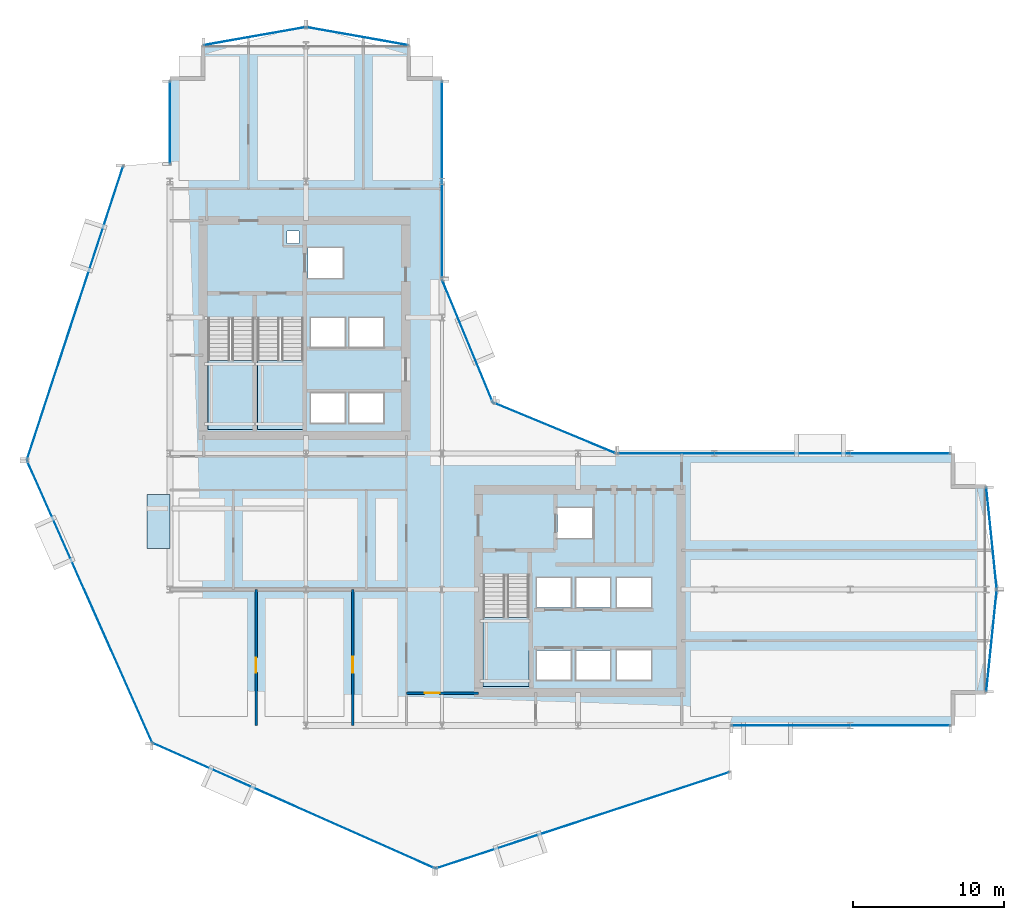
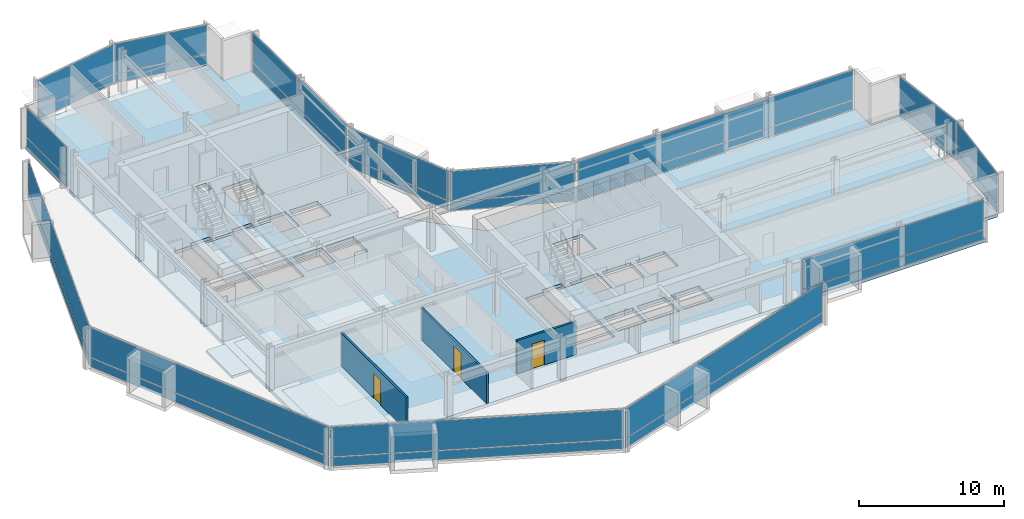
# One storey, part 26 of 34: 28 plates, 5 slabs, 3 doors, 3 walls, 3 openings, 17 elements without a shape of their own.
"""IFC4 building model written with IfcOpenShell, lengths in metres."""

import ifcopenshell
import ifcopenshell.guid

model = None  # the IFC model being written
_history = None  # IfcOwnerHistory: only IFC2X3 demands one
_inside = {}  # id of a spatial element -> (the spatial element, [elements in it])
_under = {}  # id of a project, library or spatial element -> (it, [spatial elements below it])
_declared = {}  # id of a project -> (the project, [libraries it declares])
_typed = {}  # id of a type object -> (the type object, [elements of that type])
_made_of = {}  # id of a material, layer set ... -> (it, [elements and type objects made of it])


def new_model(schema):
    """Start an empty IFC model of exactly this schema.

    Asked for "IFC4X3", IfcOpenShell would pick the latest addendum, in which some entities
    have other attributes; the version numbers below select the first issue.
    IFC2X3 requires an IfcOwnerHistory on every rooted entity: one is made here for all.
    """
    global model, _history
    if schema == "IFC4X3":
        model = ifcopenshell.file(schema_version=(4, 3, 0, 0))
    else:
        model = ifcopenshell.file(schema=schema)
    _inside.clear()
    _under.clear()
    _declared.clear()
    _typed.clear()
    _made_of.clear()
    _history = None
    if model.schema == "IFC2X3":
        org = make("IfcOrganization", Name="unknown")
        user = make(
            "IfcPersonAndOrganization",
            ThePerson=make("IfcPerson", FamilyName="unknown"),
            TheOrganization=org,
        )
        app = make(
            "IfcApplication",
            ApplicationDeveloper=org,
            Version="unknown",
            ApplicationFullName="unknown",
            ApplicationIdentifier="unknown",
        )
        _history = make(
            "IfcOwnerHistory",
            OwningUser=user,
            OwningApplication=app,
            ChangeAction="ADDED",
            CreationDate=0,
        )
    return model


def make(cls, **values):
    """One entity of the class cls with the attributes given. An attribute that is None is left unset."""
    return model.create_entity(
        cls, **{name: value for name, value in values.items() if value is not None}
    )


def rooted(cls, **values):
    """An entity with a GlobalId (a new one), such as an element, a storey or a relation."""
    return make(cls, GlobalId=ifcopenshell.guid.new(), OwnerHistory=_history, **values)


def si_unit(unit_type, name, prefix=None):
    """IfcSIUnit, for example si_unit("LENGTHUNIT", "METRE", prefix="MILLI")."""
    return make("IfcSIUnit", UnitType=unit_type, Prefix=prefix, Name=name)


def assignment(units):
    """IfcUnitAssignment: the units of a project."""
    return None if units is None else make("IfcUnitAssignment", Units=units)


def point(xyz):
    """IfcCartesianPoint."""
    return None if xyz is None else make("IfcCartesianPoint", Coordinates=xyz)


def direction(xyz):
    """IfcDirection."""
    return None if xyz is None else make("IfcDirection", DirectionRatios=xyz)


def frame(location, z_axis=None, x_axis=None):
    """IfcAxis2Placement3D, a coordinate frame: its origin and axes. An axis left out is left unset."""
    return make(
        "IfcAxis2Placement3D",
        Location=point(location),
        Axis=direction(z_axis),
        RefDirection=direction(x_axis),
    )


def frame_2d(location, x_axis=None):
    """IfcAxis2Placement2D, a coordinate frame in the plane: its origin and x axis."""
    return make(
        "IfcAxis2Placement2D", Location=point(location), RefDirection=direction(x_axis)
    )


def origin():
    """The frame at (0, 0, 0) with its axes left unset."""
    return frame((0.0, 0.0, 0.0))


def origin_2d():
    """The frame at (0, 0) in the plane with its x axis left unset."""
    return frame_2d((0.0, 0.0))


def place(relative_to, where):
    """IfcLocalPlacement: puts the frame where relative to a parent placement (None: the world)."""
    return make(
        "IfcLocalPlacement", PlacementRelTo=relative_to, RelativePlacement=where
    )


def context(
    kind, dimensions, precision=None, world=None, true_north=None, identifier=None
):
    """IfcGeometricRepresentationContext, for example the 3D "Model" context."""
    return make(
        "IfcGeometricRepresentationContext",
        ContextIdentifier=identifier,
        ContextType=kind,
        CoordinateSpaceDimension=dimensions,
        Precision=precision,
        WorldCoordinateSystem=world,
        TrueNorth=true_north,
    )


def subcontext(parent, identifier, kind, view, scale=None):
    """IfcGeometricRepresentationSubContext, for example "Body" below "Model"."""
    return make(
        "IfcGeometricRepresentationSubContext",
        ContextIdentifier=identifier,
        ContextType=kind,
        ParentContext=parent,
        TargetScale=scale,
        TargetView=view,
    )


def project(units=None, contexts=None):
    """IfcProject with its units and contexts."""
    return rooted(
        "IfcProject",
        Name="project",
        RepresentationContexts=contexts,
        UnitsInContext=assignment(units),
    )


def spatial(cls, under=None, at=None, **own):
    """A site, building, storey or space (cls), placed at a placement, below another one or the project."""
    s = rooted(cls, ObjectPlacement=at, **own)
    if under is not None:
        _under.setdefault(under.id(), (under, []))[1].append(s)
    return s


def polyline(points):
    """IfcPolyline through the points."""
    return make("IfcPolyline", Points=[point(p) for p in points])


def profile(cls, at=None, kind="AREA", **sizes):
    """A parametric profile (cls). Its sizes go by their IFC names, for example OverallWidth=200.0."""
    return make(cls, ProfileType=kind, Position=at, **sizes)


def rectangle(**sizes):
    """IfcRectangleProfileDef."""
    return profile("IfcRectangleProfileDef", **sizes)


def outline(outer, holes=None, kind="AREA"):
    """IfcArbitraryClosedProfileDef: a profile drawn as a closed curve; with holes, ...WithVoids."""
    if holes is None:
        return make("IfcArbitraryClosedProfileDef", ProfileType=kind, OuterCurve=outer)
    return make(
        "IfcArbitraryProfileDefWithVoids",
        ProfileType=kind,
        OuterCurve=outer,
        InnerCurves=holes,
    )


def extrude(swept, where, along, depth):
    """IfcExtrudedAreaSolid: the profile swept, set in the frame where, extruded along a direction by depth."""
    return make(
        "IfcExtrudedAreaSolid",
        SweptArea=swept,
        Position=where,
        ExtrudedDirection=direction(along),
        Depth=depth,
    )


def shape(context_of_items, identifier, shape_type, items):
    """IfcShapeRepresentation: the items that make up one representation, for example the "Body"."""
    return make(
        "IfcShapeRepresentation",
        ContextOfItems=context_of_items,
        RepresentationIdentifier=identifier,
        RepresentationType=shape_type,
        Items=items,
    )


def material(Name=None, Category=None):
    """IfcMaterial."""
    return make("IfcMaterial", Name=Name, Category=Category)


def layer(
    of_material, thickness, ventilated=None, Name=None, Category=None, Priority=None
):
    """IfcMaterialLayer: one layer of a wall or slab, of a material (None: an air gap)."""
    return make(
        "IfcMaterialLayer",
        Material=of_material,
        LayerThickness=thickness,
        IsVentilated=ventilated,
        Name=Name,
        Category=Category,
        Priority=Priority,
    )


def layer_set(layers, Name=None):
    """IfcMaterialLayerSet."""
    return make("IfcMaterialLayerSet", MaterialLayers=layers, LayerSetName=Name)


def made_of(thing, what):
    """Note that an element or type object is made of a material, layer set ...; save() writes the relation."""
    if what is not None:
        _made_of.setdefault(what.id(), (what, []))[1].append(thing)
    return thing


def type_object(cls, material=None, **own):
    """A type object (cls), such as IfcWallType, which elements share."""
    return made_of(rooted(cls, **own), material)


def element(
    cls,
    number,
    at=None,
    inside=None,
    cuts=None,
    type_object=None,
    material=None,
    context=None,
    identifier="Body",
    shape_type=None,
    held_by="IfcProductDefinitionShape",
    body=None,
    shapes=None,
    **own,
):
    """One element of the class cls, such as IfcWall. Its Tag is "e" and its number.

    at: its placement. inside: the storey or other place that contains it. cuts: it is an
    opening in that element (IfcRelVoidsElement). A single representation is given by context,
    identifier, shape_type and body (its items); several are given by shapes. held_by: the class
    of the entity that holds the representations. save() writes the other relations.
    """
    e = rooted(cls, Tag="e%d" % number, ObjectPlacement=at, **own)
    if body is not None:
        shapes = [shape(context, identifier, shape_type, body)]
    if shapes is not None:
        e.Representation = make(held_by, Representations=shapes)
    if inside is not None:
        _inside.setdefault(inside.id(), (inside, []))[1].append(e)
    if cuts is not None:
        rooted(
            "IfcRelVoidsElement", RelatingBuildingElement=cuts, RelatedOpeningElement=e
        )
    if type_object is not None:
        _typed.setdefault(type_object.id(), (type_object, []))[1].append(e)
    return made_of(e, material)


def fill(opening, filler):
    """IfcRelFillsElement: the door or window that sits in an opening."""
    return rooted(
        "IfcRelFillsElement",
        RelatingOpeningElement=opening,
        RelatedBuildingElement=filler,
    )


def aggregate(whole, parts):
    """IfcRelAggregates: a whole, such as a stair, and the parts it consists of."""
    return rooted("IfcRelAggregates", RelatingObject=whole, RelatedObjects=parts)


def save(model, path):
    """Write the relations noted so far, then the file.

    IfcRelAggregates (storeys below a building ...), IfcRelContainedInSpatialStructure (elements
    in a storey), IfcRelDefinesByType, IfcRelAssociatesMaterial and IfcRelDeclares: one each for
    every whole, place, type object, material and project.
    """
    for whole, parts in _under.values():
        aggregate(whole, parts)
    for where, things in _inside.values():
        rooted(
            "IfcRelContainedInSpatialStructure",
            RelatedElements=things,
            RelatingStructure=where,
        )
    for kind, things in _typed.values():
        rooted("IfcRelDefinesByType", RelatedObjects=things, RelatingType=kind)
    for what, things in _made_of.values():
        rooted("IfcRelAssociatesMaterial", RelatedObjects=things, RelatingMaterial=what)
    for by, libraries in _declared.values():
        rooted("IfcRelDeclares", RelatingContext=by, RelatedDefinitions=libraries)
    model.write(path)


model = new_model("IFC4")

# Units and contexts
model_context = context("Model", 3, precision=1e-05, world=origin(), true_north=direction((0.0, 1.0)))
body_context = subcontext(model_context, "Body", "Model", "MODEL_VIEW")
ifc_project = project(units=[si_unit("LENGTHUNIT", "METRE"), si_unit("AREAUNIT", "SQUARE_METRE"), si_unit("VOLUMEUNIT", "CUBIC_METRE"), si_unit("PLANEANGLEUNIT", "RADIAN"), si_unit("MASSUNIT", "GRAM", prefix="KILO")], contexts=[model_context])

# Site, building, storey
site_placement = place(None, origin())
site = spatial("IfcSite", under=ifc_project, at=site_placement, CompositionType="ELEMENT")
building_placement = place(site_placement, origin())
building = spatial("IfcBuilding", under=site, at=building_placement, Name="Solvaryn Broadcast Tower", CompositionType="ELEMENT")
storey_placement = place(building_placement, frame((0.0, 0.0, 73.0)))
storey = spatial("IfcBuildingStorey", under=building, at=storey_placement, Name="L17", CompositionType="ELEMENT", Elevation=73.0)

# Curtain wall, plates
ifc_material_1 = material(Name="Aluminium and Terracotta Unitised Curtain Wall", Category="masonry")
ifc_layer_1 = layer(ifc_material_1, 0.199951171875)
ifc_layer_set_1 = layer_set([ifc_layer_1], Name="CW-SYS2-LOWMID")
curtain_wall_type = type_object("IfcCurtainWallType", Name="CW-SYS2-LOWMID", PredefinedType="NOTDEFINED", material=ifc_layer_set_1)
curtain_wall_1_placement = place(storey_placement, origin())
curtain_wall_1 = element("IfcCurtainWall", 1, at=curtain_wall_1_placement, inside=storey, type_object=curtain_wall_type, Name="L17 Curtain Wall DR1", PredefinedType="NOTDEFINED")
ifc_material_2 = material(Name="Low-Iron Insulated Vision Glass", Category="glass")
ifc_layer_2 = layer(ifc_material_2, 0.035888671875)
ifc_layer_set_2 = layer_set([ifc_layer_2], Name="CW-PNL-VISION")
plate_type = type_object("IfcPlateType", Name="CW-PNL-VISION", PredefinedType="CURTAIN_PANEL", material=ifc_layer_set_2)
plate_1_placement = place(storey_placement, frame((2.72607421875, 36.2880859375, 0.06005859375), z_axis=(0.0, 0.0, 1.0), x_axis=(-0.311594044587, -0.950215318429, 0.0)))
plate_1 = element("IfcPlate", 2, at=plate_1_placement, type_object=plate_type, Name="CWS2 panel 1.1", PredefinedType="CURTAIN_PANEL", context=body_context, shape_type="SweptSolid", body=[
    extrude(rectangle(XDim=20.35546875, YDim=0.028076171875, at=origin_2d()), origin(), (0.0, 0.0, 1.0), 0.760009765625),
])
plate_2_placement = place(storey_placement, frame((2.72607421875, 36.2880859375, 0.880126953125), z_axis=(0.0, 0.0, 1.0), x_axis=(-0.311594044587, -0.950215318429, 0.0)))
plate_2 = element("IfcPlate", 3, at=plate_2_placement, type_object=plate_type, Name="CWS2 panel 1.2", PredefinedType="CURTAIN_PANEL", context=body_context, shape_type="SweptSolid", body=[
    extrude(rectangle(XDim=20.35546875, YDim=0.028076171875, at=origin_2d()), origin(), (0.0, 0.0, 1.0), 2.47998046875),
])
aggregate(curtain_wall_1, [plate_1, plate_2])

curtain_wall_2_placement = place(storey_placement, origin())
curtain_wall_2 = element("IfcCurtainWall", 4, at=curtain_wall_2_placement, inside=storey, type_object=curtain_wall_type, Name="L17 Curtain Wall DR2", PredefinedType="NOTDEFINED")
plate_3_placement = place(storey_placement, frame((3.69140625, 17.20361328125, 0.06005859375), z_axis=(0.0, 0.0, 1.0), x_axis=(0.405898286554, -0.913918257271, 0.0)))
plate_3 = element("IfcPlate", 5, at=plate_3_placement, type_object=plate_type, Name="CWS2 panel 1.1", PredefinedType="CURTAIN_PANEL", context=body_context, shape_type="SweptSolid", body=[
    extrude(rectangle(XDim=20.35546875, YDim=0.028076171875, at=origin_2d()), origin(), (0.0, 0.0, 1.0), 0.760009765625),
])
plate_4_placement = place(storey_placement, frame((3.69140625, 17.20361328125, 0.880126953125), z_axis=(0.0, 0.0, 1.0), x_axis=(0.405898286554, -0.913918257271, 0.0)))
plate_4 = element("IfcPlate", 6, at=plate_4_placement, type_object=plate_type, Name="CWS2 panel 1.2", PredefinedType="CURTAIN_PANEL", context=body_context, shape_type="SweptSolid", body=[
    extrude(rectangle(XDim=20.35546875, YDim=0.028076171875, at=origin_2d()), origin(), (0.0, 0.0, 1.0), 2.47998046875),
])
aggregate(curtain_wall_2, [plate_3, plate_4])

curtain_wall_3_placement = place(storey_placement, origin())
curtain_wall_3 = element("IfcCurtainWall", 7, at=curtain_wall_3_placement, inside=storey, type_object=curtain_wall_type, Name="L17 Curtain Wall DR3", PredefinedType="NOTDEFINED")
plate_5_placement = place(storey_placement, frame((17.20361328125, 3.69140625, 0.06005859375), z_axis=(0.0, 0.0, 1.0), x_axis=(0.913918257271, -0.405898286554, 0.0)))
plate_5 = element("IfcPlate", 8, at=plate_5_placement, type_object=plate_type, Name="CWS2 panel 1.1", PredefinedType="CURTAIN_PANEL", context=body_context, shape_type="SweptSolid", body=[
    extrude(rectangle(XDim=20.35546875, YDim=0.028076171875, at=origin_2d()), origin(), (0.0, 0.0, 1.0), 0.760009765625),
])
plate_6_placement = place(storey_placement, frame((17.20361328125, 3.69140625, 0.880126953125), z_axis=(0.0, 0.0, 1.0), x_axis=(0.913918257271, -0.405898286554, 0.0)))
plate_6 = element("IfcPlate", 9, at=plate_6_placement, type_object=plate_type, Name="CWS2 panel 1.2", PredefinedType="CURTAIN_PANEL", context=body_context, shape_type="SweptSolid", body=[
    extrude(rectangle(XDim=20.35546875, YDim=0.028076171875, at=origin_2d()), origin(), (0.0, 0.0, 1.0), 2.47998046875),
])
aggregate(curtain_wall_3, [plate_5, plate_6])

curtain_wall_4_placement = place(storey_placement, origin())
curtain_wall_4 = element("IfcCurtainWall", 10, at=curtain_wall_4_placement, inside=storey, type_object=curtain_wall_type, Name="L17 Curtain Wall DR4", PredefinedType="NOTDEFINED")
plate_7_placement = place(storey_placement, frame((36.2880859375, 2.72607421875, 0.06005859375), z_axis=(0.0, 0.0, 1.0), x_axis=(0.950215318429, 0.311594044587, 0.0)))
plate_7 = element("IfcPlate", 11, at=plate_7_placement, type_object=plate_type, Name="CWS2 panel 1.1", PredefinedType="CURTAIN_PANEL", context=body_context, shape_type="SweptSolid", body=[
    extrude(rectangle(XDim=20.35546875, YDim=0.028076171875, at=origin_2d()), origin(), (0.0, 0.0, 1.0), 0.760009765625),
])
plate_8_placement = place(storey_placement, frame((36.2880859375, 2.72607421875, 0.880126953125), z_axis=(0.0, 0.0, 1.0), x_axis=(0.950215318429, 0.311594044587, 0.0)))
plate_8 = element("IfcPlate", 12, at=plate_8_placement, type_object=plate_type, Name="CWS2 panel 1.2", PredefinedType="CURTAIN_PANEL", context=body_context, shape_type="SweptSolid", body=[
    extrude(rectangle(XDim=20.35546875, YDim=0.028076171875, at=origin_2d()), origin(), (0.0, 0.0, 1.0), 2.47998046875),
])
aggregate(curtain_wall_4, [plate_7, plate_8])

curtain_wall_5_placement = place(storey_placement, origin())
curtain_wall_5 = element("IfcCurtainWall", 13, at=curtain_wall_5_placement, inside=storey, type_object=curtain_wall_type, Name="L17 Curtain Wall W2", PredefinedType="NOTDEFINED")
plate_9_placement = place(storey_placement, frame((9.0, 48.883056640625, 0.06005859375), z_axis=(0.0, 0.0, 1.0), x_axis=(0.0, 1.0, 0.0)))
plate_9 = element("IfcPlate", 14, at=plate_9_placement, type_object=plate_type, Name="CWS2 panel 1.1", PredefinedType="CURTAIN_PANEL", context=body_context, shape_type="SweptSolid", body=[
    extrude(rectangle(XDim=5.4140625, YDim=0.028076171875, at=origin_2d()), origin(), (0.0, 0.0, 1.0), 0.760009765625),
])
plate_10_placement = place(storey_placement, frame((9.0, 48.883056640625, 0.880126953125), z_axis=(0.0, 0.0, 1.0), x_axis=(0.0, 1.0, 0.0)))
plate_10 = element("IfcPlate", 15, at=plate_10_placement, type_object=plate_type, Name="CWS2 panel 1.2", PredefinedType="CURTAIN_PANEL", context=body_context, shape_type="SweptSolid", body=[
    extrude(rectangle(XDim=5.4140625, YDim=0.028076171875, at=origin_2d()), origin(), (0.0, 0.0, 1.0), 2.47998046875),
])
aggregate(curtain_wall_5, [plate_9, plate_10])

curtain_wall_6_placement = place(storey_placement, origin())
curtain_wall_6 = element("IfcCurtainWall", 16, at=curtain_wall_6_placement, inside=storey, type_object=curtain_wall_type, Name="L17 Curtain Wall IV", PredefinedType="NOTDEFINED")
plate_11_placement = place(storey_placement, frame((27.0, 45.125, 0.06005859375), z_axis=(0.0, 0.0, 1.0), x_axis=(0.0, -1.0, 0.0)))
plate_11 = element("IfcPlate", 17, at=plate_11_placement, type_object=plate_type, Name="CWS2 panel 1.1", PredefinedType="CURTAIN_PANEL", context=body_context, shape_type="SweptSolid", body=[
    extrude(rectangle(XDim=12.929931640625, YDim=0.028076171875, at=origin_2d()), origin(), (0.0, 0.0, 1.0), 0.760009765625),
])
plate_12_placement = place(storey_placement, frame((27.0, 45.125, 0.880126953125), z_axis=(0.0, 0.0, 1.0), x_axis=(0.0, -1.0, 0.0)))
plate_12 = element("IfcPlate", 18, at=plate_12_placement, type_object=plate_type, Name="CWS2 panel 1.2", PredefinedType="CURTAIN_PANEL", context=body_context, shape_type="SweptSolid", body=[
    extrude(rectangle(XDim=12.929931640625, YDim=0.028076171875, at=origin_2d()), origin(), (0.0, 0.0, 1.0), 2.47998046875),
])
aggregate(curtain_wall_6, [plate_11, plate_12])

curtain_wall_7_placement = place(storey_placement, origin())
curtain_wall_7 = element("IfcCurtainWall", 19, at=curtain_wall_7_placement, inside=storey, type_object=curtain_wall_type, Name="L17 Curtain Wall CN1", PredefinedType="NOTDEFINED")
plate_13_placement = place(storey_placement, frame((34.43408203125, 28.68408203125, 0.06005859375), z_axis=(0.0, 0.0, 1.0), x_axis=(-0.923894983957, 0.382646127145, 0.0)))
plate_13 = element("IfcPlate", 20, at=plate_13_placement, type_object=plate_type, Name="CWS2 panel 1.1", PredefinedType="CURTAIN_PANEL", context=body_context, shape_type="SweptSolid", body=[
    extrude(rectangle(XDim=8.681884765625, YDim=0.028076171875, at=origin_2d()), origin(), (0.0, 0.0, 1.0), 0.760009765625),
])
plate_14_placement = place(storey_placement, frame((34.43408203125, 28.68408203125, 0.880126953125), z_axis=(0.0, 0.0, 1.0), x_axis=(-0.923894983957, 0.382646127145, 0.0)))
plate_14 = element("IfcPlate", 21, at=plate_14_placement, type_object=plate_type, Name="CWS2 panel 1.2", PredefinedType="CURTAIN_PANEL", context=body_context, shape_type="SweptSolid", body=[
    extrude(rectangle(XDim=8.681884765625, YDim=0.028076171875, at=origin_2d()), origin(), (0.0, 0.0, 1.0), 2.47998046875),
])
aggregate(curtain_wall_7, [plate_13, plate_14])

curtain_wall_8_placement = place(storey_placement, origin())
curtain_wall_8 = element("IfcCurtainWall", 22, at=curtain_wall_8_placement, inside=storey, type_object=curtain_wall_type, Name="L17 Curtain Wall CN2", PredefinedType="NOTDEFINED")
plate_15_placement = place(storey_placement, frame((28.68408203125, 34.43408203125, 0.06005859375), z_axis=(0.0, 0.0, 1.0), x_axis=(-0.382646127145, 0.923894983957, 0.0)))
plate_15 = element("IfcPlate", 23, at=plate_15_placement, type_object=plate_type, Name="CWS2 panel 1.1", PredefinedType="CURTAIN_PANEL", context=body_context, shape_type="SweptSolid", body=[
    extrude(rectangle(XDim=8.681884765625, YDim=0.028076171875, at=origin_2d()), origin(), (0.0, 0.0, 1.0), 0.760009765625),
])
plate_16_placement = place(storey_placement, frame((28.68408203125, 34.43408203125, 0.880126953125), z_axis=(0.0, 0.0, 1.0), x_axis=(-0.382646127145, 0.923894983957, 0.0)))
plate_16 = element("IfcPlate", 24, at=plate_16_placement, type_object=plate_type, Name="CWS2 panel 1.2", PredefinedType="CURTAIN_PANEL", context=body_context, shape_type="SweptSolid", body=[
    extrude(rectangle(XDim=8.681884765625, YDim=0.028076171875, at=origin_2d()), origin(), (0.0, 0.0, 1.0), 2.47998046875),
])
aggregate(curtain_wall_8, [plate_15, plate_16])

curtain_wall_9_placement = place(storey_placement, origin())
curtain_wall_9 = element("IfcCurtainWall", 25, at=curtain_wall_9_placement, inside=storey, type_object=curtain_wall_type, Name="L17 Curtain Wall S2", PredefinedType="NOTDEFINED")
plate_17_placement = place(storey_placement, frame((53.383056640625, 9.0, 0.06005859375), z_axis=(0.0, 0.0, 1.0), x_axis=(1.0, 0.0, 0.0)))
plate_17 = element("IfcPlate", 26, at=plate_17_placement, type_object=plate_type, Name="CWS2 panel 1.1", PredefinedType="CURTAIN_PANEL", context=body_context, shape_type="SweptSolid", body=[
    extrude(rectangle(XDim=14.4140625, YDim=0.028076171875, at=origin_2d()), origin(), (0.0, 0.0, 1.0), 0.760009765625),
])
plate_18_placement = place(storey_placement, frame((53.383056640625, 9.0, 0.880126953125), z_axis=(0.0, 0.0, 1.0), x_axis=(1.0, 0.0, 0.0)))
plate_18 = element("IfcPlate", 27, at=plate_18_placement, type_object=plate_type, Name="CWS2 panel 1.2", PredefinedType="CURTAIN_PANEL", context=body_context, shape_type="SweptSolid", body=[
    extrude(rectangle(XDim=14.4140625, YDim=0.028076171875, at=origin_2d()), origin(), (0.0, 0.0, 1.0), 2.47998046875),
])
aggregate(curtain_wall_9, [plate_17, plate_18])

curtain_wall_10_placement = place(storey_placement, origin())
curtain_wall_10 = element("IfcCurtainWall", 28, at=curtain_wall_10_placement, inside=storey, type_object=curtain_wall_type, Name="L17 Curtain Wall NT1", PredefinedType="NOTDEFINED")
plate_19_placement = place(storey_placement, frame((21.39990234375, 54.60009765625, 0.06005859375), z_axis=(0.0, 0.0, 1.0), x_axis=(-0.984783558819, 0.173785333901, 0.0)))
plate_19 = element("IfcPlate", 29, at=plate_19_placement, type_object=plate_type, Name="CWS2 panel 1.1", PredefinedType="CURTAIN_PANEL", context=body_context, shape_type="SweptSolid", body=[
    extrude(rectangle(XDim=6.78515625, YDim=0.028076171875, at=origin_2d()), origin(), (0.0, 0.0, 1.0), 0.760009765625),
])
plate_20_placement = place(storey_placement, frame((21.39990234375, 54.60009765625, 0.880126953125), z_axis=(0.0, 0.0, 1.0), x_axis=(-0.984783558819, 0.173785333901, 0.0)))
plate_20 = element("IfcPlate", 30, at=plate_20_placement, type_object=plate_type, Name="CWS2 panel 1.2", PredefinedType="CURTAIN_PANEL", context=body_context, shape_type="SweptSolid", body=[
    extrude(rectangle(XDim=6.78515625, YDim=0.028076171875, at=origin_2d()), origin(), (0.0, 0.0, 1.0), 2.47998046875),
])
aggregate(curtain_wall_10, [plate_19, plate_20])

curtain_wall_11_placement = place(storey_placement, origin())
curtain_wall_11 = element("IfcCurtainWall", 31, at=curtain_wall_11_placement, inside=storey, type_object=curtain_wall_type, Name="L17 Curtain Wall NT2", PredefinedType="NOTDEFINED")
plate_21_placement = place(storey_placement, frame((14.60009765625, 54.60009765625, 0.06005859375), z_axis=(0.0, 0.0, 1.0), x_axis=(-0.984783558819, -0.173785333901, 0.0)))
plate_21 = element("IfcPlate", 32, at=plate_21_placement, type_object=plate_type, Name="CWS2 panel 1.1", PredefinedType="CURTAIN_PANEL", context=body_context, shape_type="SweptSolid", body=[
    extrude(rectangle(XDim=6.78515625, YDim=0.028076171875, at=origin_2d()), origin(), (0.0, 0.0, 1.0), 0.760009765625),
])
plate_22_placement = place(storey_placement, frame((14.60009765625, 54.60009765625, 0.880126953125), z_axis=(0.0, 0.0, 1.0), x_axis=(-0.984783558819, -0.173785333901, 0.0)))
plate_22 = element("IfcPlate", 33, at=plate_22_placement, type_object=plate_type, Name="CWS2 panel 1.2", PredefinedType="CURTAIN_PANEL", context=body_context, shape_type="SweptSolid", body=[
    extrude(rectangle(XDim=6.78515625, YDim=0.028076171875, at=origin_2d()), origin(), (0.0, 0.0, 1.0), 2.47998046875),
])
aggregate(curtain_wall_11, [plate_21, plate_22])

curtain_wall_12_placement = place(storey_placement, origin())
curtain_wall_12 = element("IfcCurtainWall", 34, at=curtain_wall_12_placement, inside=storey, type_object=curtain_wall_type, Name="L17 Curtain Wall ET1", PredefinedType="NOTDEFINED")
plate_23_placement = place(storey_placement, frame((63.35009765625, 21.39990234375, 0.06005859375), z_axis=(0.0, 0.0, 1.0), x_axis=(0.10240004548, -0.99474329889, 0.0)))
plate_23 = element("IfcPlate", 35, at=plate_23_placement, type_object=plate_type, Name="CWS2 panel 1.1", PredefinedType="CURTAIN_PANEL", context=body_context, shape_type="SweptSolid", body=[
    extrude(rectangle(XDim=6.7158203125, YDim=0.028076171875, at=origin_2d()), origin(), (0.0, 0.0, 1.0), 0.760009765625),
])
plate_24_placement = place(storey_placement, frame((63.35009765625, 21.39990234375, 0.880126953125), z_axis=(0.0, 0.0, 1.0), x_axis=(0.10240004548, -0.99474329889, 0.0)))
plate_24 = element("IfcPlate", 36, at=plate_24_placement, type_object=plate_type, Name="CWS2 panel 1.2", PredefinedType="CURTAIN_PANEL", context=body_context, shape_type="SweptSolid", body=[
    extrude(rectangle(XDim=6.7158203125, YDim=0.028076171875, at=origin_2d()), origin(), (0.0, 0.0, 1.0), 2.47998046875),
])
aggregate(curtain_wall_12, [plate_23, plate_24])

curtain_wall_13_placement = place(storey_placement, origin())
curtain_wall_13 = element("IfcCurtainWall", 37, at=curtain_wall_13_placement, inside=storey, type_object=curtain_wall_type, Name="L17 Curtain Wall ET2", PredefinedType="NOTDEFINED")
plate_25_placement = place(storey_placement, frame((63.35009765625, 14.60009765625, 0.06005859375), z_axis=(0.0, 0.0, 1.0), x_axis=(-0.10240004548, -0.99474329889, 0.0)))
plate_25 = element("IfcPlate", 38, at=plate_25_placement, type_object=plate_type, Name="CWS2 panel 1.1", PredefinedType="CURTAIN_PANEL", context=body_context, shape_type="SweptSolid", body=[
    extrude(rectangle(XDim=6.7158203125, YDim=0.028076171875, at=origin_2d()), origin(), (0.0, 0.0, 1.0), 0.760009765625),
])
plate_26_placement = place(storey_placement, frame((63.35009765625, 14.60009765625, 0.880126953125), z_axis=(0.0, 0.0, 1.0), x_axis=(-0.10240004548, -0.99474329889, 0.0)))
plate_26 = element("IfcPlate", 39, at=plate_26_placement, type_object=plate_type, Name="CWS2 panel 1.2", PredefinedType="CURTAIN_PANEL", context=body_context, shape_type="SweptSolid", body=[
    extrude(rectangle(XDim=6.7158203125, YDim=0.028076171875, at=origin_2d()), origin(), (0.0, 0.0, 1.0), 2.47998046875),
])
aggregate(curtain_wall_13, [plate_25, plate_26])

curtain_wall_14_placement = place(storey_placement, origin())
curtain_wall_14 = element("IfcCurtainWall", 40, at=curtain_wall_14_placement, inside=storey, type_object=curtain_wall_type, Name="L17 Curtain Wall IH", PredefinedType="NOTDEFINED")
plate_27_placement = place(storey_placement, frame((49.625, 27.0, 0.06005859375), z_axis=(0.0, 0.0, 1.0), x_axis=(1.0, 0.0, 0.0)))
plate_27 = element("IfcPlate", 41, at=plate_27_placement, type_object=plate_type, Name="CWS2 panel 1.1", PredefinedType="CURTAIN_PANEL", context=body_context, shape_type="SweptSolid", body=[
    extrude(rectangle(XDim=21.929931640625, YDim=0.028076171875, at=origin_2d()), origin(), (0.0, 0.0, 1.0), 0.760009765625),
])
plate_28_placement = place(storey_placement, frame((49.625, 27.0, 0.880126953125), z_axis=(0.0, 0.0, 1.0), x_axis=(1.0, 0.0, 0.0)))
plate_28 = element("IfcPlate", 42, at=plate_28_placement, type_object=plate_type, Name="CWS2 panel 1.2", PredefinedType="CURTAIN_PANEL", context=body_context, shape_type="SweptSolid", body=[
    extrude(rectangle(XDim=21.929931640625, YDim=0.028076171875, at=origin_2d()), origin(), (0.0, 0.0, 1.0), 2.47998046875),
])
aggregate(curtain_wall_14, [plate_27, plate_28])

# Slab
ifc_material_3 = material(Name="Concrete f'c 60 MPa", Category="concrete")
ifc_layer_3 = layer(ifc_material_3, 0.2099609375)
ifc_layer_set_3 = layer_set([ifc_layer_3], Name="SL-BAYBOX-210")
slab_type_1 = type_object("IfcSlabType", Name="SL-BAYBOX-210", PredefinedType="FLOOR", material=ifc_layer_set_3)
slab_1_placement = place(storey_placement, frame((0.0, 0.0, -0.2099609375)))
element("IfcSlab", 43, at=slab_1_placement, inside=storey, type_object=slab_type_1, Name="L17 Projecting Bay-Box Slab 1", PredefinedType="FLOOR", context=body_context, shape_type="SweptSolid", body=[
    extrude(outline(polyline([(7.5, 20.699951171875), (9.0, 20.699951171875), (9.0, 24.300048828125), (7.5, 24.300048828125), (7.5, 20.699951171875)])), origin(), (0.0, 0.0, 1.0), 0.2099609375),
])

# Stair, slab
ifc_material_4 = material(Name="Concrete f'c 60 MPa", Category="concrete")
stair_type = type_object("IfcStairType", Name="ST-CORE", PredefinedType="HALF_TURN_STAIR", material=ifc_material_4)
stair_1_placement = place(storey_placement, origin())
stair_1 = element("IfcStair", 44, at=stair_1_placement, inside=storey, type_object=stair_type, Name="L17 ST1", PredefinedType="HALF_TURN_STAIR")
ifc_material_5 = material(Name="Concrete f'c 60 MPa", Category="concrete")
ifc_layer_4 = layer(ifc_material_5, 0.199951171875)
ifc_layer_set_4 = layer_set([ifc_layer_4], Name="SL-LANDING-200")
slab_type_2 = type_object("IfcSlabType", Name="SL-LANDING-200", PredefinedType="LANDING", material=ifc_layer_set_4)
slab_2_placement = place(storey_placement, frame((0.0, 0.0, 1.64990234375)))
slab_2 = element("IfcSlab", 45, at=slab_2_placement, type_object=slab_type_2, Name="ST1 landing 1", PredefinedType="LANDING", context=body_context, shape_type="SweptSolid", body=[
    extrude(outline(polyline([(11.52001953125, 33.159912109375), (11.52001953125, 28.60009765625), (14.550048828125, 28.60009765625), (14.550048828125, 33.159912109375), (11.52001953125, 33.159912109375)])), origin(), (0.0, 0.0, 1.0), 0.2001953125),
])
aggregate(stair_1, [slab_2])

stair_2_placement = place(storey_placement, origin())
stair_2 = element("IfcStair", 46, at=stair_2_placement, inside=storey, type_object=stair_type, Name="L17 ST2", PredefinedType="HALF_TURN_STAIR")
slab_3_placement = place(storey_placement, frame((0.0, 0.0, 1.64990234375)))
slab_3 = element("IfcSlab", 47, at=slab_3_placement, type_object=slab_type_2, Name="ST2 landing 1", PredefinedType="LANDING", context=body_context, shape_type="SweptSolid", body=[
    extrude(outline(polyline([(14.800048828125, 33.159912109375), (14.800048828125, 28.60009765625), (17.830078125, 28.60009765625), (17.830078125, 33.159912109375), (14.800048828125, 33.159912109375)])), origin(), (0.0, 0.0, 1.0), 0.2001953125),
])
aggregate(stair_2, [slab_3])

stair_3_placement = place(storey_placement, origin())
stair_3 = element("IfcStair", 48, at=stair_3_placement, inside=storey, type_object=stair_type, Name="L17 ST3", PredefinedType="HALF_TURN_STAIR")
slab_4_placement = place(storey_placement, frame((0.0, 0.0, 1.64990234375)))
slab_4 = element("IfcSlab", 49, at=slab_4_placement, type_object=slab_type_2, Name="ST3 landing 1", PredefinedType="LANDING", context=body_context, shape_type="SweptSolid", body=[
    extrude(outline(polyline([(29.719970703125, 16.159912109375), (29.719970703125, 11.60009765625), (32.75, 11.60009765625), (32.75, 16.159912109375), (29.719970703125, 16.159912109375)])), origin(), (0.0, 0.0, 1.0), 0.2001953125),
])
aggregate(stair_3, [slab_4])

# Slab
ifc_material_6 = material(Name="Concrete f'c 60 MPa", Category="concrete")
ifc_layer_5 = layer(ifc_material_6, 0.280029296875)
ifc_layer_set_5 = layer_set([ifc_layer_5], Name="SL-TWR-280")
slab_type_3 = type_object("IfcSlabType", Name="SL-TWR-280", PredefinedType="FLOOR", material=ifc_layer_set_5)
slab_5_placement = place(storey_placement, frame((0.0, 0.0, -0.280029296875)))
element("IfcSlab", 50, at=slab_5_placement, inside=storey, type_object=slab_type_3, Name="L17 Structural Floor Slab", PredefinedType="FLOOR", context=body_context, shape_type="SweptSolid", body=[
    extrude(outline(polyline([(11.199951171875, 9.0), (60.800048828125, 9.0), (60.800048828125, 11.199951171875), (63.0, 11.199951171875), (63.0, 24.800048828125), (60.800048828125, 24.800048828125), (60.800048828125, 27.0), (31.5, 27.0), (27.0, 31.5), (27.0, 51.800048828125), (24.800048828125, 51.800048828125), (24.800048828125, 54.0), (11.199951171875, 54.0), (11.199951171875, 51.800048828125), (9.0, 51.800048828125), (9.0, 11.199951171875), (11.199951171875, 11.199951171875), (11.199951171875, 9.0)]), holes=[polyline([(11.52001953125, 28.60009765625), (14.550048828125, 28.60009765625), (14.550048828125, 35.9599609375), (12.97998046875, 35.9599609375), (12.97998046875, 35.679931640625), (11.52001953125, 35.679931640625), (11.52001953125, 28.60009765625)]), polyline([(14.800048828125, 28.60009765625), (17.830078125, 28.60009765625), (17.830078125, 35.9599609375), (16.260009765625, 35.9599609375), (16.260009765625, 35.679931640625), (14.800048828125, 35.679931640625), (14.800048828125, 28.60009765625)]), polyline([(29.719970703125, 11.60009765625), (32.75, 11.60009765625), (32.75, 18.9599609375), (31.179931640625, 18.9599609375), (31.179931640625, 18.679931640625), (29.719970703125, 18.679931640625), (29.719970703125, 11.60009765625)]), polyline([(18.14990234375, 38.60009765625), (20.449951171875, 38.60009765625), (20.449951171875, 40.60009765625), (18.14990234375, 40.60009765625), (18.14990234375, 38.60009765625)]), polyline([(18.324951171875, 29.02490234375), (20.574951171875, 29.02490234375), (20.574951171875, 30.97509765625), (18.324951171875, 30.97509765625), (18.324951171875, 29.02490234375)]), polyline([(20.875, 29.02490234375), (23.125, 29.02490234375), (23.125, 30.97509765625), (20.875, 30.97509765625), (20.875, 29.02490234375)]), polyline([(18.324951171875, 34.02490234375), (20.574951171875, 34.02490234375), (20.574951171875, 35.97509765625), (18.324951171875, 35.97509765625), (18.324951171875, 34.02490234375)]), polyline([(20.875, 34.02490234375), (23.125, 34.02490234375), (23.125, 35.97509765625), (20.875, 35.97509765625), (20.875, 34.02490234375)]), polyline([(34.64990234375, 21.39990234375), (36.949951171875, 21.39990234375), (36.949951171875, 23.39990234375), (34.64990234375, 23.39990234375), (34.64990234375, 21.39990234375)]), polyline([(33.27490234375, 12.02490234375), (35.52490234375, 12.02490234375), (35.52490234375, 13.97509765625), (33.27490234375, 13.97509765625), (33.27490234375, 12.02490234375)]), polyline([(35.875, 12.02490234375), (38.125, 12.02490234375), (38.125, 13.97509765625), (35.875, 13.97509765625), (35.875, 12.02490234375)]), polyline([(33.27490234375, 16.824951171875), (35.52490234375, 16.824951171875), (35.52490234375, 18.77490234375), (33.27490234375, 18.77490234375), (33.27490234375, 16.824951171875)]), polyline([(35.875, 16.824951171875), (38.125, 16.824951171875), (38.125, 18.77490234375), (35.875, 18.77490234375), (35.875, 16.824951171875)]), polyline([(38.574951171875, 12.02490234375), (40.824951171875, 12.02490234375), (40.824951171875, 13.97509765625), (38.574951171875, 13.97509765625), (38.574951171875, 12.02490234375)]), polyline([(38.574951171875, 16.824951171875), (40.824951171875, 16.824951171875), (40.824951171875, 18.77490234375), (38.574951171875, 18.77490234375), (38.574951171875, 16.824951171875)]), polyline([(16.75, 40.89990234375), (17.550048828125, 40.89990234375), (17.550048828125, 41.699951171875), (16.75, 41.699951171875), (16.75, 40.89990234375)])]), origin(), (0.0, 0.0, 1.0), 0.280029296875),
])

# Wall, opening, door
ifc_material_7 = material(Name="Metal-Stud Gypsum Office Partition")
ifc_layer_6 = layer(ifc_material_7, 0.159912109375)
ifc_layer_set_6 = layer_set([ifc_layer_6], Name="IW-PART-160")
wall_type = type_object("IfcWallType", Name="IW-PART-160", PredefinedType="PARTITIONING", material=ifc_layer_set_6)
wall_1_placement = place(storey_placement, frame((14.699951171875, 9.0, 0.0), z_axis=(0.0, 0.0, 1.0), x_axis=(0.0, 1.0, 0.0)))
wall_1 = element("IfcWall", 51, at=wall_1_placement, inside=storey, type_object=wall_type, Name="L17 Interior Partition IW-L17-SWS-V1", PredefinedType="PARTITIONING", context=body_context, shape_type="SweptSolid", body=[
    extrude(rectangle(XDim=9.0, YDim=0.159912109375, at=frame_2d((4.5, 0.0))), origin(), (0.0, 0.0, 1.0), 2.7890625),
])
opening_1_placement = place(wall_1_placement, frame((3.5, 0.0, 0.0)))
opening_1 = element("IfcOpeningElement", 52, at=opening_1_placement, cuts=wall_1, Name="Opening ID02", PredefinedType="OPENING", context=body_context, shape_type="SweptSolid", body=[
    extrude(rectangle(XDim=1.0, YDim=2.10009765625, at=frame_2d((0.5, 1.050048828125))), frame((0.0, 0.090087890625, 0.0), z_axis=(0.0, -1.0, 0.0), x_axis=(1.0, 0.0, 0.0)), (0.0, 0.0, 1.0), 0.179931640625),
])
ifc_material_8 = material(Name="Flush Acoustic Steel and Timber Door Assembly", Category="steel")
door_type_1 = type_object("IfcDoorType", Name="ID-02-1000X2100", OperationType="NOTDEFINED", PredefinedType="DOOR", material=ifc_material_8)
door_1_placement = place(opening_1_placement, origin())
door_1 = element("IfcDoor", 53, at=door_1_placement, inside=storey, type_object=door_type_1, Name="L17 Door DR-L17-SWS-1", OperationType="SINGLE_SWING_RIGHT", OverallHeight=2.10009765625, OverallWidth=1.0, PredefinedType="DOOR", context=body_context, shape_type="SweptSolid", body=[
    extrude(rectangle(XDim=1.0, YDim=2.10009765625, at=frame_2d((0.5, 1.050048828125))), frame((0.0, 0.02490234375, 0.0), z_axis=(0.0, -1.0, 0.0), x_axis=(1.0, 0.0, 0.0)), (0.0, 0.0, 1.0), 0.050048828125),
])
fill(opening_1, door_1)

wall_2_placement = place(storey_placement, frame((21.10009765625, 9.0, 0.0), z_axis=(0.0, 0.0, 1.0), x_axis=(0.0, 1.0, 0.0)))
wall_2 = element("IfcWall", 54, at=wall_2_placement, inside=storey, type_object=wall_type, Name="L17 Interior Partition IW-L17-SWS-V2", PredefinedType="PARTITIONING", context=body_context, shape_type="SweptSolid", body=[
    extrude(rectangle(XDim=9.0, YDim=0.159912109375, at=frame_2d((4.5, 0.0))), origin(), (0.0, 0.0, 1.0), 2.626953125),
])
opening_2_placement = place(wall_2_placement, frame((3.5, 0.0, 0.0)))
opening_2 = element("IfcOpeningElement", 55, at=opening_2_placement, cuts=wall_2, Name="Opening ID03", PredefinedType="OPENING", context=body_context, shape_type="SweptSolid", body=[
    extrude(rectangle(XDim=1.050048828125, YDim=2.14990234375, at=frame_2d((0.52490234375, 1.074951171875))), frame((0.0, 0.090087890625, 0.0), z_axis=(0.0, -1.0, 0.0), x_axis=(1.0, 0.0, 0.0)), (0.0, 0.0, 1.0), 0.179931640625),
])
ifc_material_9 = material(Name="Flush Acoustic Steel and Timber Door Assembly", Category="steel")
door_type_2 = type_object("IfcDoorType", Name="ID-03-1050X2150", OperationType="NOTDEFINED", PredefinedType="DOOR", material=ifc_material_9)
door_2_placement = place(opening_2_placement, origin())
door_2 = element("IfcDoor", 56, at=door_2_placement, inside=storey, type_object=door_type_2, Name="L17 Door DR-L17-SWS-2", OperationType="SINGLE_SWING_LEFT", OverallHeight=2.14990234375, OverallWidth=1.050048828125, PredefinedType="DOOR", context=body_context, shape_type="SweptSolid", body=[
    extrude(rectangle(XDim=1.050048828125, YDim=2.14990234375, at=frame_2d((0.52490234375, 1.074951171875))), frame((0.0, 0.02490234375, 0.0), z_axis=(0.0, -1.0, 0.0), x_axis=(1.0, 0.0, 0.0)), (0.0, 0.0, 1.0), 0.050048828125),
])
fill(opening_2, door_2)

wall_3_placement = place(storey_placement, frame((24.64990234375, 11.14990234375, 0.0), z_axis=(0.0, 0.0, 1.0), x_axis=(1.0, 0.0, 0.0)))
wall_3 = element("IfcWall", 57, at=wall_3_placement, inside=storey, type_object=wall_type, Name="L17 Interior Partition IW-L17-SC-N", PredefinedType="PARTITIONING", context=body_context, shape_type="SweptSolid", body=[
    extrude(rectangle(XDim=4.75, YDim=0.159912109375, at=frame_2d((2.375, 0.0))), origin(), (0.0, 0.0, 1.0), 2.7919921875),
])
opening_3_placement = place(wall_3_placement, frame((1.199951171875, 0.0, 0.0)))
opening_3 = element("IfcOpeningElement", 58, at=opening_3_placement, cuts=wall_3, Name="Opening ID02", PredefinedType="OPENING", context=body_context, shape_type="SweptSolid", body=[
    extrude(rectangle(XDim=1.0, YDim=2.10009765625, at=frame_2d((0.5, 1.050048828125))), frame((0.0, 0.090087890625, 0.0), z_axis=(0.0, -1.0, 0.0), x_axis=(1.0, 0.0, 0.0)), (0.0, 0.0, 1.0), 0.179931640625),
])
door_3_placement = place(opening_3_placement, origin())
door_3 = element("IfcDoor", 59, at=door_3_placement, inside=storey, type_object=door_type_1, Name="L17 Door DR-L17-SC0", OperationType="SINGLE_SWING_LEFT", OverallHeight=2.10009765625, OverallWidth=1.0, PredefinedType="DOOR", context=body_context, shape_type="SweptSolid", body=[
    extrude(rectangle(XDim=1.0, YDim=2.10009765625, at=frame_2d((0.5, 1.050048828125))), frame((0.0, 0.02490234375, 0.0), z_axis=(0.0, -1.0, 0.0), x_axis=(1.0, 0.0, 0.0)), (0.0, 0.0, 1.0), 0.050048828125),
])
fill(opening_3, door_3)

save(model, "model.ifc")
